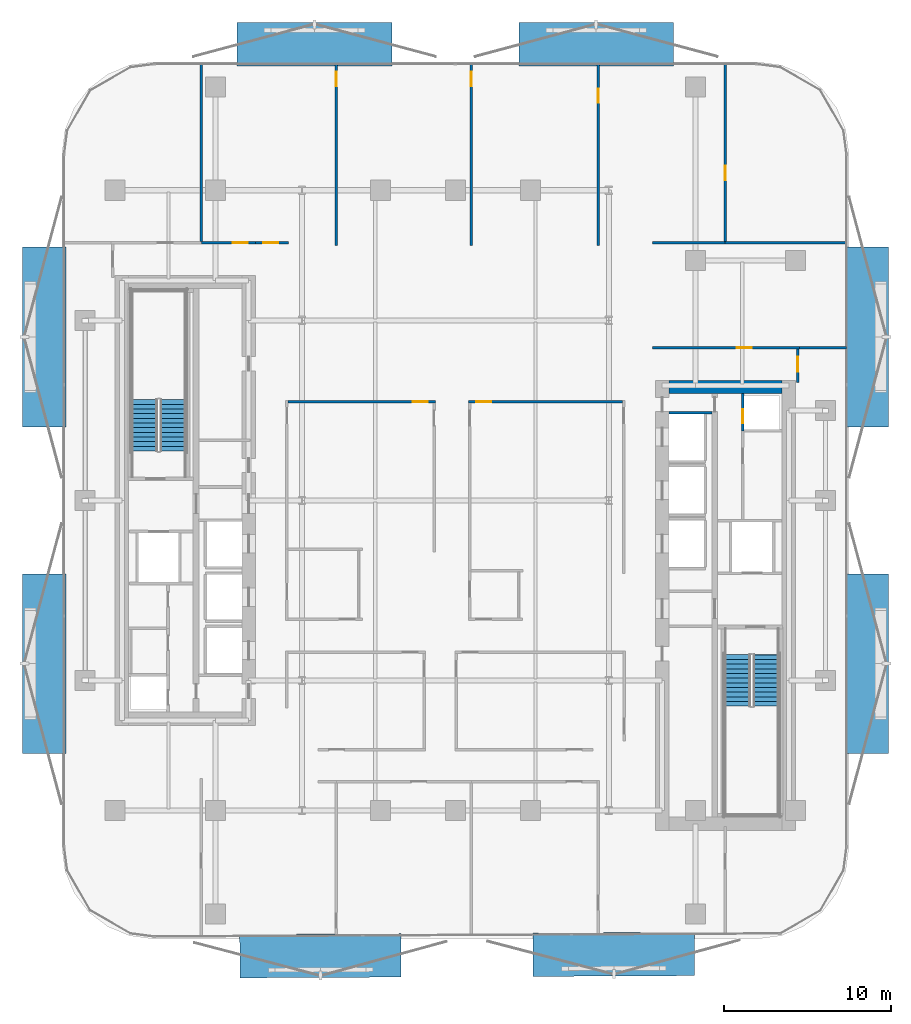
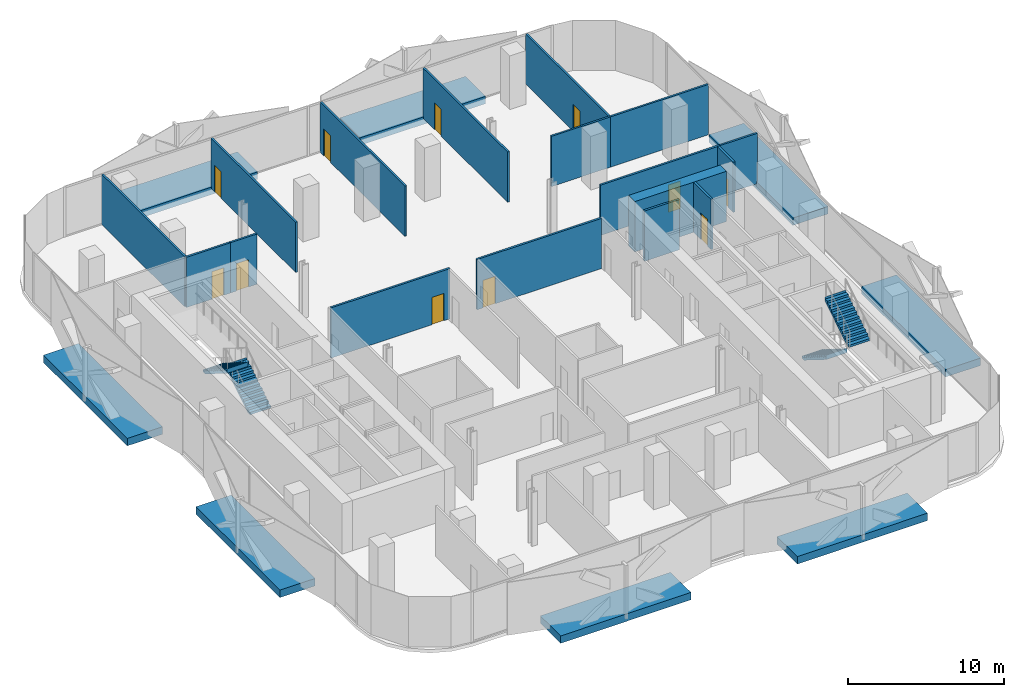
# One storey, part 6 of 15: 17 walls, 11 doors, 8 discrete accessories, 4 stair flights, 11 openings, 2 elements without a shape of their own.
"""IFC4 building model written with IfcOpenShell, lengths in metres."""

from ifc_helpers import new_model, si_unit, direction, frame, frame_2d, origin, origin_2d, place, context, subcontext, project, spatial, polyline, rectangle, outline, extrude, material, layer, layer_set, type_object, element, fill, aggregate, save


model = new_model("IFC4")

# Units and contexts
model_context = context("Model", 3, precision=1e-05, world=origin(), true_north=direction((0.0, 1.0)))
body_context = subcontext(model_context, "Body", "Model", "MODEL_VIEW")
ifc_project = project(units=[si_unit("LENGTHUNIT", "METRE"), si_unit("AREAUNIT", "SQUARE_METRE"), si_unit("VOLUMEUNIT", "CUBIC_METRE"), si_unit("PLANEANGLEUNIT", "RADIAN"), si_unit("MASSUNIT", "GRAM", prefix="KILO")], contexts=[model_context])

# Site, building, storey
site_placement = place(None, origin())
site = spatial("IfcSite", under=ifc_project, at=site_placement, CompositionType="ELEMENT")
building_placement = place(site_placement, origin())
building = spatial("IfcBuilding", under=site, at=building_placement, Name="Khairoan Windgate Tower", CompositionType="ELEMENT")
storey_placement = place(building_placement, frame((0.0, 0.0, 135.199951171875)))
storey = spatial("IfcBuildingStorey", under=building, at=storey_placement, Name="L31", CompositionType="ELEMENT", Elevation=135.199951171875)

# Walls
ifc_material_1 = material(Name="Concrete C40/50", Category="concrete")
ifc_layer_1 = layer(ifc_material_1, 0.159912109375, Name="Concrete C40/50")
ifc_layer_set_1 = layer_set([ifc_layer_1], Name="Concrete C40/50")
wall_type_1 = type_object("IfcWallType", Name="Core and Hoistway Enclosure Wall", PredefinedType="STANDARD", material=ifc_layer_set_1)
wall_1_placement = place(storey_placement, frame((12.800048828125, 5.25, 0.0), z_axis=(0.0, 0.0, 1.0), x_axis=(1.0, 0.0, 0.0)))
element("IfcWall", 1, at=wall_1_placement, inside=storey, type_object=wall_type_1, Name="L31 Core Shaft Wall SW-ESV-L31", PredefinedType="STANDARD", context=body_context, shape_type="SweptSolid", body=[
    extrude(rectangle(XDim=2.599853515625, YDim=0.159912109375, at=frame_2d((1.2998046875, 0.0))), origin(), (0.0, 0.0, 1.0), 3.93994140625),
])
ifc_material_2 = material(Name="Acoustic Fire-Rated Gypsum Partition", Category="gypsum")
ifc_layer_2 = layer(ifc_material_2, 0.139892578125, Name="Acoustic Fire-Rated Gypsum Partition")
ifc_layer_set_2 = layer_set([ifc_layer_2], Name="Acoustic Fire-Rated Gypsum Partition")
wall_type_2 = type_object("IfcWallType", Name="Inter-Tenancy Compartment Wall", PredefinedType="PARTITIONING", material=ifc_layer_set_2)
wall_2_placement = place(storey_placement, frame((20.639892578125, 9.159912109375, 0.0), z_axis=(0.0, 0.0, 1.0), x_axis=(1.0, 0.0, 0.0)))
element("IfcWall", 2, at=wall_2_placement, inside=storey, type_object=wall_type_2, Name="L31 Interior Partition 038", PredefinedType="PARTITIONING", context=body_context, shape_type="SweptSolid", body=[
    extrude(rectangle(XDim=2.815185546875, YDim=0.139892578125, at=frame_2d((1.40771484375, 0.0))), origin(), (0.0, 0.0, 1.0), 3.93994140625),
])
wall_3_placement = place(storey_placement, frame((11.81005859375, 15.4599609375, 0.0), z_axis=(0.0, 0.0, 1.0), x_axis=(1.0, 0.0, 0.0)))
element("IfcWall", 3, at=wall_3_placement, inside=storey, type_object=wall_type_2, Name="L31 Interior Partition 039", PredefinedType="PARTITIONING", context=body_context, shape_type="SweptSolid", body=[
    extrude(rectangle(XDim=4.3740234375, YDim=0.139892578125, at=frame_2d((2.18701171875, 0.0))), origin(), (0.0, 0.0, 1.0), 3.93994140625),
])
wall_4_placement = place(storey_placement, frame((16.18408203125, 15.4599609375, 0.0), z_axis=(0.0, 0.0, 1.0), x_axis=(1.0, 0.0, 0.0)))
element("IfcWall", 4, at=wall_4_placement, inside=storey, type_object=wall_type_2, Name="L31 Interior Partition 040", PredefinedType="PARTITIONING", context=body_context, shape_type="SweptSolid", body=[
    extrude(rectangle(XDim=7.27099609375, YDim=0.139892578125, at=frame_2d((3.635498046875, 0.0))), origin(), (0.0, 0.0, 1.0), 3.93994140625),
])
wall_5_placement = place(storey_placement, frame((-15.23193359375, 15.534912109375, 0.0), z_axis=(0.0, 0.0, 1.0), x_axis=(0.0, 1.0, 0.0)))
element("IfcWall", 5, at=wall_5_placement, inside=storey, type_object=wall_type_2, Name="L31 Interior Partition 041", PredefinedType="PARTITIONING", context=body_context, shape_type="SweptSolid", body=[
    extrude(rectangle(XDim=10.6201171875, YDim=0.139892578125, at=frame_2d((5.31005859375, 0.0))), origin(), (0.0, 0.0, 1.0), 3.93994140625),
])

# Wall, opening, door
wall_6_placement = place(storey_placement, frame((-7.139892578125, 15.280029296875, 0.0), z_axis=(0.0, 0.0, 1.0), x_axis=(0.0, 1.0, 0.0)))
wall_6 = element("IfcWall", 6, at=wall_6_placement, inside=storey, type_object=wall_type_2, Name="L31 Interior Partition 042", PredefinedType="PARTITIONING", context=body_context, shape_type="SweptSolid", body=[
    extrude(rectangle(XDim=10.875, YDim=0.139892578125, at=frame_2d((5.4375, 0.0))), origin(), (0.0, 0.0, 1.0), 3.93994140625),
])
opening_1_placement = place(wall_6_placement, frame((9.56494140625, 0.0, 0.0)))
opening_1 = element("IfcOpeningElement", 7, at=opening_1_placement, cuts=wall_6, Name="Opening FD-SRV", PredefinedType="OPENING", context=body_context, shape_type="SweptSolid", body=[
    extrude(rectangle(XDim=0.85009765625, YDim=2.10009765625, at=frame_2d((0.425048828125, 1.050048828125))), frame((0.0, 0.079833984375, 0.0), z_axis=(0.0, -1.0, 0.0), x_axis=(1.0, 0.0, 0.0)), (0.0, 0.0, 1.0), 0.159912109375),
])
ifc_material_3 = material(Name="Steel S355", Category="steel")
door_type_1 = type_object("IfcDoorType", Name="Core Service and Riser Fire Door FD-SRV 850x2100", OperationType="NOTDEFINED", PredefinedType="DOOR", material=ifc_material_3)
door_1_placement = place(opening_1_placement, origin())
door_1 = element("IfcDoor", 8, at=door_1_placement, inside=storey, type_object=door_type_1, Name="L31 L31-40-L31-41 Door", OperationType="SINGLE_SWING_LEFT", OverallHeight=2.10009765625, OverallWidth=0.85009765625, PredefinedType="DOOR", context=body_context, shape_type="SweptSolid", body=[
    extrude(rectangle(XDim=0.85009765625, YDim=2.10009765625, at=frame_2d((0.425048828125, 1.050048828125))), frame((0.0, 0.02490234375, 0.0), z_axis=(0.0, -1.0, 0.0), x_axis=(1.0, 0.0, 0.0)), (0.0, 0.0, 1.0), 0.050048828125),
])
fill(opening_1, door_1)

wall_7_placement = place(storey_placement, frame((0.951904296875, 15.280029296875, 0.0), z_axis=(0.0, 0.0, 1.0), x_axis=(0.0, 1.0, 0.0)))
wall_7 = element("IfcWall", 9, at=wall_7_placement, inside=storey, type_object=wall_type_2, Name="L31 Interior Partition 043", PredefinedType="PARTITIONING", context=body_context, shape_type="SweptSolid", body=[
    extrude(rectangle(XDim=10.875, YDim=0.139892578125, at=frame_2d((5.4375, 0.0))), origin(), (0.0, 0.0, 1.0), 3.93994140625),
])
opening_2_placement = place(wall_7_placement, frame((9.56494140625, 0.0, 0.0)))
opening_2 = element("IfcOpeningElement", 10, at=opening_2_placement, cuts=wall_7, Name="Opening FD-SRV", PredefinedType="OPENING", context=body_context, shape_type="SweptSolid", body=[
    extrude(rectangle(XDim=0.85009765625, YDim=2.10009765625, at=frame_2d((0.425048828125, 1.050048828125))), frame((0.0, 0.079833984375, 0.0), z_axis=(0.0, -1.0, 0.0), x_axis=(1.0, 0.0, 0.0)), (0.0, 0.0, 1.0), 0.159912109375),
])
door_2_placement = place(opening_2_placement, origin())
door_2 = element("IfcDoor", 11, at=door_2_placement, inside=storey, type_object=door_type_1, Name="L31 L31-41-L31-42 Door", OperationType="SINGLE_SWING_RIGHT", OverallHeight=2.10009765625, OverallWidth=0.85009765625, PredefinedType="DOOR", context=body_context, shape_type="SweptSolid", body=[
    extrude(rectangle(XDim=0.85009765625, YDim=2.10009765625, at=frame_2d((0.425048828125, 1.050048828125))), frame((0.0, 0.02490234375, 0.0), z_axis=(0.0, -1.0, 0.0), x_axis=(1.0, 0.0, 0.0)), (0.0, 0.0, 1.0), 0.050048828125),
])
fill(opening_2, door_2)

wall_8_placement = place(storey_placement, frame((8.568115234375, 15.280029296875, 0.0), z_axis=(0.0, 0.0, 1.0), x_axis=(0.0, 1.0, 0.0)))
wall_8 = element("IfcWall", 12, at=wall_8_placement, inside=storey, type_object=wall_type_2, Name="L31 Interior Partition 044", PredefinedType="PARTITIONING", context=body_context, shape_type="SweptSolid", body=[
    extrude(rectangle(XDim=10.875, YDim=0.139892578125, at=frame_2d((5.4375, 0.0))), origin(), (0.0, 0.0, 1.0), 3.93994140625),
])
opening_3_placement = place(wall_8_placement, frame((8.55322265625, 0.0, 0.0)))
opening_3 = element("IfcOpeningElement", 13, at=opening_3_placement, cuts=wall_8, Name="Opening FD-SRV", PredefinedType="OPENING", context=body_context, shape_type="SweptSolid", body=[
    extrude(rectangle(XDim=0.85009765625, YDim=2.10009765625, at=frame_2d((0.425048828125, 1.050048828125))), frame((0.0, 0.079833984375, 0.0), z_axis=(0.0, -1.0, 0.0), x_axis=(1.0, 0.0, 0.0)), (0.0, 0.0, 1.0), 0.159912109375),
])
door_3_placement = place(opening_3_placement, origin())
door_3 = element("IfcDoor", 14, at=door_3_placement, inside=storey, type_object=door_type_1, Name="L31 L31-42-L31-43 Door", OperationType="SINGLE_SWING_LEFT", OverallHeight=2.10009765625, OverallWidth=0.85009765625, PredefinedType="DOOR", context=body_context, shape_type="SweptSolid", body=[
    extrude(rectangle(XDim=0.85009765625, YDim=2.10009765625, at=frame_2d((0.425048828125, 1.050048828125))), frame((0.0, 0.02490234375, 0.0), z_axis=(0.0, -1.0, 0.0), x_axis=(1.0, 0.0, 0.0)), (0.0, 0.0, 1.0), 0.050048828125),
])
fill(opening_3, door_3)

wall_9_placement = place(storey_placement, frame((16.18408203125, 15.530029296875, 0.0), z_axis=(0.0, 0.0, 1.0), x_axis=(0.0, 1.0, 0.0)))
wall_9 = element("IfcWall", 15, at=wall_9_placement, inside=storey, type_object=wall_type_2, Name="L31 Interior Partition 045", PredefinedType="PARTITIONING", context=body_context, shape_type="SweptSolid", body=[
    extrude(rectangle(XDim=10.625, YDim=0.139892578125, at=frame_2d((5.3125, 0.0))), origin(), (0.0, 0.0, 1.0), 3.93994140625),
])
opening_4_placement = place(wall_9_placement, frame((3.679931640625, 0.0, 0.0)))
opening_4 = element("IfcOpeningElement", 16, at=opening_4_placement, cuts=wall_9, Name="Opening FD-SRV", PredefinedType="OPENING", context=body_context, shape_type="SweptSolid", body=[
    extrude(rectangle(XDim=0.85009765625, YDim=2.10009765625, at=frame_2d((0.425048828125, 1.050048828125))), frame((0.0, 0.079833984375, 0.0), z_axis=(0.0, -1.0, 0.0), x_axis=(1.0, 0.0, 0.0)), (0.0, 0.0, 1.0), 0.159912109375),
])
door_4_placement = place(opening_4_placement, origin())
door_4 = element("IfcDoor", 17, at=door_4_placement, inside=storey, type_object=door_type_1, Name="L31 L31-43-L31-44 Door", OperationType="SINGLE_SWING_RIGHT", OverallHeight=2.10009765625, OverallWidth=0.85009765625, PredefinedType="DOOR", context=body_context, shape_type="SweptSolid", body=[
    extrude(rectangle(XDim=0.85009765625, YDim=2.10009765625, at=frame_2d((0.425048828125, 1.050048828125))), frame((0.0, 0.02490234375, 0.0), z_axis=(0.0, -1.0, 0.0), x_axis=(1.0, 0.0, 0.0)), (0.0, 0.0, 1.0), 0.050048828125),
])
fill(opening_4, door_4)

ifc_material_4 = material(Name="Concrete C40/50", Category="concrete")
ifc_layer_3 = layer(ifc_material_4, 0.159912109375, Name="Concrete C40/50")
ifc_layer_set_3 = layer_set([ifc_layer_3], Name="Concrete C40/50")
wall_type_3 = type_object("IfcWallType", Name="Plant and Refuge Compartment Wall", PredefinedType="PARTITIONING", material=ifc_layer_set_3)
wall_10_placement = place(storey_placement, frame((17.22998046875, 4.169921875, 0.0), z_axis=(0.0, 0.0, 1.0), x_axis=(0.0, 1.0, 0.0)))
wall_10 = element("IfcWall", 18, at=wall_10_placement, inside=storey, type_object=wall_type_3, Name="L31 Interior Partition 007", PredefinedType="PARTITIONING", context=body_context, shape_type="SweptSolid", body=[
    extrude(rectangle(XDim=2.22998046875, YDim=0.159912109375, at=frame_2d((1.114990234375, 0.0))), origin(), (0.0, 0.0, 1.0), 3.93994140625),
])
opening_5_placement = place(wall_10_placement, frame((0.4599609375, 0.0, 0.0)))
opening_5 = element("IfcOpeningElement", 19, at=opening_5_placement, cuts=wall_10, Name="Opening FD-SRV", PredefinedType="OPENING", context=body_context, shape_type="SweptSolid", body=[
    extrude(rectangle(XDim=0.85009765625, YDim=2.10009765625, at=frame_2d((0.425048828125, 1.050048828125))), frame((0.0, 0.08984375, 0.0), z_axis=(0.0, -1.0, 0.0), x_axis=(1.0, 0.0, 0.0)), (0.0, 0.0, 1.0), 0.179931640625),
])
door_5_placement = place(opening_5_placement, origin())
door_5 = element("IfcDoor", 20, at=door_5_placement, inside=storey, type_object=door_type_1, Name="L31 L31-18-L31-19 Door", OperationType="SINGLE_SWING_RIGHT", OverallHeight=2.10009765625, OverallWidth=0.85009765625, PredefinedType="DOOR", context=body_context, shape_type="SweptSolid", body=[
    extrude(rectangle(XDim=0.85009765625, YDim=2.10009765625, at=frame_2d((0.425048828125, 1.050048828125))), frame((0.0, 0.02490234375, 0.0), z_axis=(0.0, -1.0, 0.0), x_axis=(1.0, 0.0, 0.0)), (0.0, 0.0, 1.0), 0.050048828125),
])
fill(opening_5, door_5)

ifc_material_5 = material(Name="Acoustic Fire-Rated Gypsum Partition", Category="gypsum")
ifc_layer_4 = layer(ifc_material_5, 0.14990234375, Name="Acoustic Fire-Rated Gypsum Partition")
ifc_layer_set_4 = layer_set([ifc_layer_4], Name="Acoustic Fire-Rated Gypsum Partition")
wall_type_4 = type_object("IfcWallType", Name="Rated Corridor Partition Wall", PredefinedType="PARTITIONING", material=ifc_layer_set_4)
wall_11_placement = place(storey_placement, frame((-11.989990234375, 15.4599609375, 0.0), z_axis=(0.0, 0.0, 1.0), x_axis=(1.0, 0.0, 0.0)))
wall_11 = element("IfcWall", 21, at=wall_11_placement, inside=storey, type_object=wall_type_4, Name="L31 Interior Partition 010", PredefinedType="PARTITIONING", context=body_context, shape_type="SweptSolid", body=[
    extrude(rectangle(XDim=1.97998046875, YDim=0.14990234375, at=frame_2d((0.989990234375, 0.0))), origin(), (0.0, 0.0, 1.0), 3.93994140625),
])
opening_6_placement = place(wall_11_placement, frame((0.4599609375, 0.0, 0.0)))
opening_6 = element("IfcOpeningElement", 22, at=opening_6_placement, cuts=wall_11, Name="Opening FD-ENT", PredefinedType="OPENING", context=body_context, shape_type="SweptSolid", body=[
    extrude(rectangle(XDim=0.89990234375, YDim=2.14990234375, at=frame_2d((0.449951171875, 1.074951171875))), frame((0.0, 0.0849609375, 0.0), z_axis=(0.0, -1.0, 0.0), x_axis=(1.0, 0.0, 0.0)), (0.0, 0.0, 1.0), 0.169921875),
])
ifc_material_6 = material(Name="Timber Fire-Rated Core", Category="wood")
door_type_2 = type_object("IfcDoorType", Name="Unit and Office Fire Entrance Door FD-ENT 900x2150", OperationType="NOTDEFINED", PredefinedType="DOOR", material=ifc_material_6)
door_6_placement = place(opening_6_placement, origin())
door_6 = element("IfcDoor", 23, at=door_6_placement, inside=storey, type_object=door_type_2, Name="L31 L31-27-L31-40 Door", OperationType="SINGLE_SWING_RIGHT", OverallHeight=2.14990234375, OverallWidth=0.89990234375, PredefinedType="DOOR", context=body_context, shape_type="SweptSolid", body=[
    extrude(rectangle(XDim=0.89990234375, YDim=2.14990234375, at=frame_2d((0.449951171875, 1.074951171875))), frame((0.0, 0.02490234375, 0.0), z_axis=(0.0, -1.0, 0.0), x_axis=(1.0, 0.0, 0.0)), (0.0, 0.0, 1.0), 0.050048828125),
])
fill(opening_6, door_6)

wall_12_placement = place(storey_placement, frame((0.780029296875, 5.919921875, 0.0), z_axis=(0.0, 0.0, 1.0), x_axis=(1.0, 0.0, 0.0)))
wall_12 = element("IfcWall", 24, at=wall_12_placement, inside=storey, type_object=wall_type_4, Name="L31 Interior Partition 016", PredefinedType="PARTITIONING", context=body_context, shape_type="SweptSolid", body=[
    extrude(rectangle(XDim=9.244873046875, YDim=0.14990234375, at=frame_2d((4.62255859375, 0.0))), origin(), (0.0, 0.0, 1.0), 3.93994140625),
])
opening_7_placement = place(wall_12_placement, frame((0.4599609375, 0.0, 0.0)))
opening_7 = element("IfcOpeningElement", 25, at=opening_7_placement, cuts=wall_12, Name="Opening FD-ENT", PredefinedType="OPENING", context=body_context, shape_type="SweptSolid", body=[
    extrude(rectangle(XDim=0.89990234375, YDim=2.14990234375, at=frame_2d((0.449951171875, 1.074951171875))), frame((0.0, 0.0849609375, 0.0), z_axis=(0.0, -1.0, 0.0), x_axis=(1.0, 0.0, 0.0)), (0.0, 0.0, 1.0), 0.169921875),
])
door_7_placement = place(opening_7_placement, origin())
door_7 = element("IfcDoor", 26, at=door_7_placement, inside=storey, type_object=door_type_2, Name="L31 L31-29-L31-52 Door", OperationType="SINGLE_SWING_RIGHT", OverallHeight=2.14990234375, OverallWidth=0.89990234375, PredefinedType="DOOR", context=body_context, shape_type="SweptSolid", body=[
    extrude(rectangle(XDim=0.89990234375, YDim=2.14990234375, at=frame_2d((0.449951171875, 1.074951171875))), frame((0.0, 0.02490234375, 0.0), z_axis=(0.0, -1.0, 0.0), x_axis=(1.0, 0.0, 0.0)), (0.0, 0.0, 1.0), 0.050048828125),
])
fill(opening_7, door_7)

wall_13_placement = place(storey_placement, frame((-10.02490234375, 5.919921875, 0.0), z_axis=(0.0, 0.0, 1.0), x_axis=(1.0, 0.0, 0.0)))
wall_13 = element("IfcWall", 27, at=wall_13_placement, inside=storey, type_object=wall_type_4, Name="L31 Interior Partition 017", PredefinedType="PARTITIONING", context=body_context, shape_type="SweptSolid", body=[
    extrude(rectangle(XDim=8.81982421875, YDim=0.14990234375, at=frame_2d((4.409912109375, 0.0))), origin(), (0.0, 0.0, 1.0), 3.93994140625),
])
opening_8_placement = place(wall_13_placement, frame((7.4599609375, 0.0, 0.0)))
opening_8 = element("IfcOpeningElement", 28, at=opening_8_placement, cuts=wall_13, Name="Opening FD-ENT", PredefinedType="OPENING", context=body_context, shape_type="SweptSolid", body=[
    extrude(rectangle(XDim=0.89990234375, YDim=2.14990234375, at=frame_2d((0.449951171875, 1.074951171875))), frame((0.0, 0.0849609375, 0.0), z_axis=(0.0, -1.0, 0.0), x_axis=(1.0, 0.0, 0.0)), (0.0, 0.0, 1.0), 0.169921875),
])
door_8_placement = place(opening_8_placement, origin())
door_8 = element("IfcDoor", 29, at=door_8_placement, inside=storey, type_object=door_type_2, Name="L31 L31-29-L31-54 Door", OperationType="SINGLE_SWING_LEFT", OverallHeight=2.14990234375, OverallWidth=0.89990234375, PredefinedType="DOOR", context=body_context, shape_type="SweptSolid", body=[
    extrude(rectangle(XDim=0.89990234375, YDim=2.14990234375, at=frame_2d((0.449951171875, 1.074951171875))), frame((0.0, 0.02490234375, 0.0), z_axis=(0.0, -1.0, 0.0), x_axis=(1.0, 0.0, 0.0)), (0.0, 0.0, 1.0), 0.050048828125),
])
fill(opening_8, door_8)

wall_14_placement = place(storey_placement, frame((-15.23193359375, 15.4599609375, 0.0), z_axis=(0.0, 0.0, 1.0), x_axis=(1.0, 0.0, 0.0)))
wall_14 = element("IfcWall", 30, at=wall_14_placement, inside=storey, type_object=wall_type_4, Name="L31 Interior Partition 027", PredefinedType="PARTITIONING", context=body_context, shape_type="SweptSolid", body=[
    extrude(rectangle(XDim=3.241943359375, YDim=0.14990234375, at=frame_2d((1.62109375, 0.0))), origin(), (0.0, 0.0, 1.0), 3.93994140625),
])
opening_9_placement = place(wall_14_placement, frame((1.882080078125, 0.0, 0.0)))
opening_9 = element("IfcOpeningElement", 31, at=opening_9_placement, cuts=wall_14, Name="Opening FD-ENT", PredefinedType="OPENING", context=body_context, shape_type="SweptSolid", body=[
    extrude(rectangle(XDim=0.89990234375, YDim=2.14990234375, at=frame_2d((0.449951171875, 1.074951171875))), frame((0.0, 0.0849609375, 0.0), z_axis=(0.0, -1.0, 0.0), x_axis=(1.0, 0.0, 0.0)), (0.0, 0.0, 1.0), 0.169921875),
])
door_9_placement = place(opening_9_placement, origin())
door_9 = element("IfcDoor", 32, at=door_9_placement, inside=storey, type_object=door_type_2, Name="L31 L31-32-L31-40 Door", OperationType="SINGLE_SWING_LEFT", OverallHeight=2.14990234375, OverallWidth=0.89990234375, PredefinedType="DOOR", context=body_context, shape_type="SweptSolid", body=[
    extrude(rectangle(XDim=0.89990234375, YDim=2.14990234375, at=frame_2d((0.449951171875, 1.074951171875))), frame((0.0, 0.02490234375, 0.0), z_axis=(0.0, -1.0, 0.0), x_axis=(1.0, 0.0, 0.0)), (0.0, 0.0, 1.0), 0.050048828125),
])
fill(opening_9, door_9)

wall_15_placement = place(storey_placement, frame((20.5400390625, 7.06005859375, 0.0), z_axis=(0.0, 0.0, 1.0), x_axis=(0.0, 1.0, 0.0)))
wall_15 = element("IfcWall", 33, at=wall_15_placement, inside=storey, type_object=wall_type_4, Name="L31 Interior Partition 028", PredefinedType="PARTITIONING", context=body_context, shape_type="SweptSolid", body=[
    extrude(rectangle(XDim=2.02490234375, YDim=0.14990234375, at=frame_2d((1.012451171875, 0.0))), origin(), (0.0, 0.0, 1.0), 3.93994140625),
])
opening_10_placement = place(wall_15_placement, frame((0.6650390625, 0.0, 0.0)))
opening_10 = element("IfcOpeningElement", 34, at=opening_10_placement, cuts=wall_15, Name="Opening FD-ENT", PredefinedType="OPENING", context=body_context, shape_type="SweptSolid", body=[
    extrude(rectangle(XDim=0.89990234375, YDim=2.14990234375, at=frame_2d((0.449951171875, 1.074951171875))), frame((0.0, 0.0849609375, 0.0), z_axis=(0.0, -1.0, 0.0), x_axis=(1.0, 0.0, 0.0)), (0.0, 0.0, 1.0), 0.169921875),
])
door_10_placement = place(opening_10_placement, origin())
door_10 = element("IfcDoor", 35, at=door_10_placement, inside=storey, type_object=door_type_2, Name="L31 L31-33-L31-37 Door", OperationType="SINGLE_SWING_RIGHT", OverallHeight=2.14990234375, OverallWidth=0.89990234375, PredefinedType="DOOR", context=body_context, shape_type="SweptSolid", body=[
    extrude(rectangle(XDim=0.89990234375, YDim=2.14990234375, at=frame_2d((0.449951171875, 1.074951171875))), frame((0.0, 0.02490234375, 0.0), z_axis=(0.0, -1.0, 0.0), x_axis=(1.0, 0.0, 0.0)), (0.0, 0.0, 1.0), 0.050048828125),
])
fill(opening_10, door_10)

wall_16_placement = place(storey_placement, frame((11.81005859375, 9.159912109375, 0.0), z_axis=(0.0, 0.0, 1.0), x_axis=(1.0, 0.0, 0.0)))
wall_16 = element("IfcWall", 36, at=wall_16_placement, inside=storey, type_object=wall_type_4, Name="L31 Interior Partition 029", PredefinedType="PARTITIONING", context=body_context, shape_type="SweptSolid", body=[
    extrude(rectangle(XDim=8.829833984375, YDim=0.14990234375, at=frame_2d((4.4150390625, 0.0))), origin(), (0.0, 0.0, 1.0), 3.93994140625),
])
opening_11_placement = place(wall_16_placement, frame((5.066650390625, 0.0, 0.0)))
opening_11 = element("IfcOpeningElement", 37, at=opening_11_placement, cuts=wall_16, Name="Opening FD-ENT", PredefinedType="OPENING", context=body_context, shape_type="SweptSolid", body=[
    extrude(rectangle(XDim=0.89990234375, YDim=2.14990234375, at=frame_2d((0.449951171875, 1.074951171875))), frame((0.0, 0.0849609375, 0.0), z_axis=(0.0, -1.0, 0.0), x_axis=(1.0, 0.0, 0.0)), (0.0, 0.0, 1.0), 0.169921875),
])
door_11_placement = place(opening_11_placement, origin())
door_11 = element("IfcDoor", 38, at=door_11_placement, inside=storey, type_object=door_type_2, Name="L31 L31-33-L31-38 Door", OperationType="SINGLE_SWING_LEFT", OverallHeight=2.14990234375, OverallWidth=0.89990234375, PredefinedType="DOOR", context=body_context, shape_type="SweptSolid", body=[
    extrude(rectangle(XDim=0.89990234375, YDim=2.14990234375, at=frame_2d((0.449951171875, 1.074951171875))), frame((0.0, 0.02490234375, 0.0), z_axis=(0.0, -1.0, 0.0), x_axis=(1.0, 0.0, 0.0)), (0.0, 0.0, 1.0), 0.050048828125),
])
fill(opening_11, door_11)

# Wall
ifc_material_7 = material(Name="Concrete C70/85", Category="concrete")
ifc_layer_5 = layer(ifc_material_7, 0.800048828125, Name="Concrete C70/85")
ifc_layer_set_5 = layer_set([ifc_layer_5], Name="Concrete C70/85")
wall_type_5 = type_object("IfcWallType", Name="Shear Wall CW-E1 800mm", PredefinedType="SHEAR", material=ifc_layer_set_5)
wall_17_placement = place(storey_placement, frame((12.800048828125, 6.800048828125, 0.0), z_axis=(0.0, 0.0, 1.0), x_axis=(1.0, 0.0, 0.0)))
element("IfcWall", 39, at=wall_17_placement, inside=storey, type_object=wall_type_5, Name="E Core North Shear Wall L31", PredefinedType="SHEAR", context=body_context, shape_type="SweptSolid", body=[
    extrude(rectangle(XDim=6.800048828125, YDim=0.800048828125, at=frame_2d((3.39990234375, 0.0))), origin(), (0.0, 0.0, 1.0), 3.93994140625),
])

# Stair, stair flights
ifc_material_8 = material(Name="Concrete C40/50", Category="concrete")
stair_type = type_object("IfcStairType", Name="Tower Core Dog-Leg Stair ST-T1 1560mm", PredefinedType="HALF_TURN_STAIR", material=ifc_material_8)
stair_1_placement = place(storey_placement, origin())
stair_1 = element("IfcStair", 40, at=stair_1_placement, inside=storey, type_object=stair_type, Name="L31 Stair ST1", PredefinedType="HALF_TURN_STAIR")
ifc_material_9 = material(Name="Concrete C40/50", Category="concrete")
ifc_layer_6 = layer(ifc_material_9, 0.14990234375, Name="Concrete C40/50")
ifc_layer_set_6 = layer_set([ifc_layer_6], Name="Concrete C40/50")
stair_flight_type = type_object("IfcStairFlightType", Name="Tower Core Stair Flight STF-1560", PredefinedType="STRAIGHT", material=ifc_layer_set_6)
stair_flight_1_placement = place(storey_placement, frame((16.929931640625, -9.260009765625, 0.0), z_axis=(0.0, 0.0, 1.0), x_axis=(0.0, -1.0, 0.0)))
stair_flight_1 = element("IfcStairFlight", 41, at=stair_flight_1_placement, type_object=stair_flight_type, Name="ST1 flight 1", NumberOfRisers=12, NumberOfTreads=11, PredefinedType="STRAIGHT", RiserHeight=0.175, TreadLength=0.28, context=body_context, shape_type="SweptSolid", body=[
    extrude(outline(polyline([(-0.00390625, 0.0), (-0.00390625, 0.175048828125), (0.0, 0.175048828125), (0.280029296875, 0.175048828125), (0.280029296875, 0.35009765625), (0.56005859375, 0.35009765625), (0.56005859375, 0.52490234375), (0.840087890625, 0.52490234375), (0.840087890625, 0.699951171875), (1.1201171875, 0.699951171875), (1.1201171875, 0.875), (1.39990234375, 0.875), (1.39990234375, 1.050048828125), (1.679931640625, 1.050048828125), (1.679931640625, 1.22509765625), (1.9599609375, 1.22509765625), (1.9599609375, 1.39990234375), (2.239990234375, 1.39990234375), (2.239990234375, 1.574951171875), (2.52001953125, 1.574951171875), (2.52001953125, 1.75), (2.800048828125, 1.75), (2.800048828125, 1.925048828125), (3.080078125, 1.925048828125), (3.080078125, 2.10009765625), (3.083984375, 2.10009765625), (3.083984375, 1.748291015625), (0.28271484375, 0.0), (-0.00390625, 0.0)])), frame((0.0, 0.780029296875, 0.0), z_axis=(0.0, -1.0, 0.0), x_axis=(1.0, 0.0, 0.0)), (0.0, 0.0, 1.0), 1.56005859375),
])
stair_flight_2_placement = place(storey_placement, frame((18.639892578125, -12.340087890625, 2.10009765625), z_axis=(0.0, 0.0, 1.0), x_axis=(0.0, 1.0, 0.0)))
stair_flight_2 = element("IfcStairFlight", 42, at=stair_flight_2_placement, type_object=stair_flight_type, Name="ST1 flight 2", NumberOfRisers=12, NumberOfTreads=11, PredefinedType="STRAIGHT", RiserHeight=0.175, TreadLength=0.28, context=body_context, shape_type="SweptSolid", body=[
    extrude(outline(polyline([(-0.00390625, 0.0), (-0.00390625, 0.175048828125), (0.0, 0.175048828125), (0.280029296875, 0.175048828125), (0.280029296875, 0.35009765625), (0.56005859375, 0.35009765625), (0.56005859375, 0.52490234375), (0.840087890625, 0.52490234375), (0.840087890625, 0.699951171875), (1.1201171875, 0.699951171875), (1.1201171875, 0.875), (1.39990234375, 0.875), (1.39990234375, 1.050048828125), (1.679931640625, 1.050048828125), (1.679931640625, 1.22509765625), (1.9599609375, 1.22509765625), (1.9599609375, 1.39990234375), (2.239990234375, 1.39990234375), (2.239990234375, 1.574951171875), (2.52001953125, 1.574951171875), (2.52001953125, 1.75), (2.800048828125, 1.75), (2.800048828125, 1.925048828125), (3.080078125, 1.925048828125), (3.080078125, 2.10009765625), (3.083984375, 2.10009765625), (3.083984375, 1.748291015625), (0.28271484375, 0.0), (-0.00390625, 0.0)])), frame((0.0, 0.780029296875, 0.0), z_axis=(0.0, -1.0, 0.0), x_axis=(1.0, 0.0, 0.0)), (0.0, 0.0, 1.0), 1.56005859375),
])
aggregate(stair_1, [stair_flight_1, stair_flight_2])

stair_2_placement = place(storey_placement, origin())
stair_2 = element("IfcStair", 43, at=stair_2_placement, inside=storey, type_object=stair_type, Name="L31 Stair ST2", PredefinedType="HALF_TURN_STAIR")
stair_flight_3_placement = place(storey_placement, frame((-16.929931640625, 2.9599609375, 0.0), z_axis=(0.0, 0.0, 1.0), x_axis=(0.0, 1.0, 0.0)))
stair_flight_3 = element("IfcStairFlight", 44, at=stair_flight_3_placement, type_object=stair_flight_type, Name="ST2 flight 1", NumberOfRisers=12, NumberOfTreads=11, PredefinedType="STRAIGHT", RiserHeight=0.175, TreadLength=0.28, context=body_context, shape_type="SweptSolid", body=[
    extrude(outline(polyline([(-0.00390625, 0.0), (-0.00390625, 0.175048828125), (0.0, 0.175048828125), (0.280029296875, 0.175048828125), (0.280029296875, 0.35009765625), (0.56005859375, 0.35009765625), (0.56005859375, 0.52490234375), (0.840087890625, 0.52490234375), (0.840087890625, 0.699951171875), (1.1201171875, 0.699951171875), (1.1201171875, 0.875), (1.39990234375, 0.875), (1.39990234375, 1.050048828125), (1.679931640625, 1.050048828125), (1.679931640625, 1.22509765625), (1.9599609375, 1.22509765625), (1.9599609375, 1.39990234375), (2.239990234375, 1.39990234375), (2.239990234375, 1.574951171875), (2.52001953125, 1.574951171875), (2.52001953125, 1.75), (2.800048828125, 1.75), (2.800048828125, 1.925048828125), (3.080078125, 1.925048828125), (3.080078125, 2.10009765625), (3.083984375, 2.10009765625), (3.083984375, 1.748291015625), (0.28271484375, 0.0), (-0.00390625, 0.0)])), frame((0.0, 0.780029296875, 0.0), z_axis=(0.0, -1.0, 0.0), x_axis=(1.0, 0.0, 0.0)), (0.0, 0.0, 1.0), 1.56005859375),
])
stair_flight_4_placement = place(storey_placement, frame((-18.639892578125, 6.0400390625, 2.10009765625), z_axis=(0.0, 0.0, 1.0), x_axis=(0.0, -1.0, 0.0)))
stair_flight_4 = element("IfcStairFlight", 45, at=stair_flight_4_placement, type_object=stair_flight_type, Name="ST2 flight 2", NumberOfRisers=12, NumberOfTreads=11, PredefinedType="STRAIGHT", RiserHeight=0.175, TreadLength=0.28, context=body_context, shape_type="SweptSolid", body=[
    extrude(outline(polyline([(-0.00390625, 0.0), (-0.00390625, 0.175048828125), (0.0, 0.175048828125), (0.280029296875, 0.175048828125), (0.280029296875, 0.35009765625), (0.56005859375, 0.35009765625), (0.56005859375, 0.52490234375), (0.840087890625, 0.52490234375), (0.840087890625, 0.699951171875), (1.1201171875, 0.699951171875), (1.1201171875, 0.875), (1.39990234375, 0.875), (1.39990234375, 1.050048828125), (1.679931640625, 1.050048828125), (1.679931640625, 1.22509765625), (1.9599609375, 1.22509765625), (1.9599609375, 1.39990234375), (2.239990234375, 1.39990234375), (2.239990234375, 1.574951171875), (2.52001953125, 1.574951171875), (2.52001953125, 1.75), (2.800048828125, 1.75), (2.800048828125, 1.925048828125), (3.080078125, 1.925048828125), (3.080078125, 2.10009765625), (3.083984375, 2.10009765625), (3.083984375, 1.748291015625), (0.28271484375, 0.0), (-0.00390625, 0.0)])), frame((0.0, 0.780029296875, 0.0), z_axis=(0.0, -1.0, 0.0), x_axis=(1.0, 0.0, 0.0)), (0.0, 0.0, 1.0), 1.56005859375),
])
aggregate(stair_2, [stair_flight_3, stair_flight_4])

# Discrete accessories
ifc_material_10 = material(Name="Steel S355", Category="steel")
discrete_accessory_type = type_object("IfcDiscreteAccessoryType", Name="Solar Screen Outrigger Slab Bracket SSB-1", PredefinedType="BRACKET", material=ifc_material_10)
for number, where, z_axis, x_axis, name in (
    (46, (9.498291015625, -27.22509765625, -0.419921875), (0.0, 0.0, 1.0), (-0.999988059021, -0.004886902454, 0.0), "L31 Solar Screen Outrigger Bracket 193"),
    (47, (-8.090576171875, -27.31103515625, -0.419921875), (0.0, 0.0, 1.0), (-0.999988059021, -0.004886902454, 0.0), "L31 Solar Screen Outrigger Bracket 194"),
):
    element("IfcDiscreteAccessory", number, at=place(storey_placement, frame(where, z_axis=z_axis, x_axis=x_axis)), inside=storey, type_object=discrete_accessory_type, Name=name, PredefinedType="BRACKET", context=body_context, shape_type="SweptSolid", body=[
        extrude(rectangle(XDim=9.674072265625, YDim=2.60009765625, at=origin_2d()), origin(), (0.0, 0.0, 1.0), 0.580078125),
    ])
for number, where, z_axis, x_axis, name in (
    (48, (-24.659912109375, -9.79541015625, -0.419921875), (0.0, 0.0, 1.0), (0.0, 1.0, 0.0), "L31 Solar Screen Outrigger Bracket 195"),
    (49, (-24.659912109375, 9.79541015625, -0.419921875), (0.0, 0.0, 1.0), (0.0, 1.0, 0.0), "L31 Solar Screen Outrigger Bracket 196"),
):
    element("IfcDiscreteAccessory", number, at=place(storey_placement, frame(where, z_axis=z_axis, x_axis=x_axis)), inside=storey, type_object=discrete_accessory_type, Name=name, PredefinedType="BRACKET", context=body_context, shape_type="SweptSolid", body=[
        extrude(rectangle(XDim=10.77490234375, YDim=2.60009765625, at=origin_2d()), origin(), (0.0, 0.0, 1.0), 0.580078125),
    ])
for number, where, z_axis, x_axis, name in (
    (50, (-8.4453125, 27.360107421875, -0.419921875), (0.0, 0.0, 1.0), (1.0, 0.0, 0.0), "L31 Solar Screen Outrigger Bracket 197"),
    (51, (8.4453125, 27.360107421875, -0.419921875), (0.0, 0.0, 1.0), (1.0, 0.0, 0.0), "L31 Solar Screen Outrigger Bracket 198"),
):
    element("IfcDiscreteAccessory", number, at=place(storey_placement, frame(where, z_axis=z_axis, x_axis=x_axis)), inside=storey, type_object=discrete_accessory_type, Name=name, PredefinedType="BRACKET", context=body_context, shape_type="SweptSolid", body=[
        extrude(rectangle(XDim=9.2900390625, YDim=2.60009765625, at=origin_2d()), origin(), (0.0, 0.0, 1.0), 0.580078125),
    ])
for number, where, z_axis, x_axis, name in (
    (52, (24.659912109375, 9.79541015625, -0.419921875), (0.0, 0.0, 1.0), (0.0, -1.0, 0.0), "L31 Solar Screen Outrigger Bracket 199"),
    (53, (24.659912109375, -9.79541015625, -0.419921875), (0.0, 0.0, 1.0), (0.0, -1.0, 0.0), "L31 Solar Screen Outrigger Bracket 200"),
):
    element("IfcDiscreteAccessory", number, at=place(storey_placement, frame(where, z_axis=z_axis, x_axis=x_axis)), inside=storey, type_object=discrete_accessory_type, Name=name, PredefinedType="BRACKET", context=body_context, shape_type="SweptSolid", body=[
        extrude(rectangle(XDim=10.77490234375, YDim=2.60009765625, at=origin_2d()), origin(), (0.0, 0.0, 1.0), 0.580078125),
    ])

save(model, "model.ifc")
